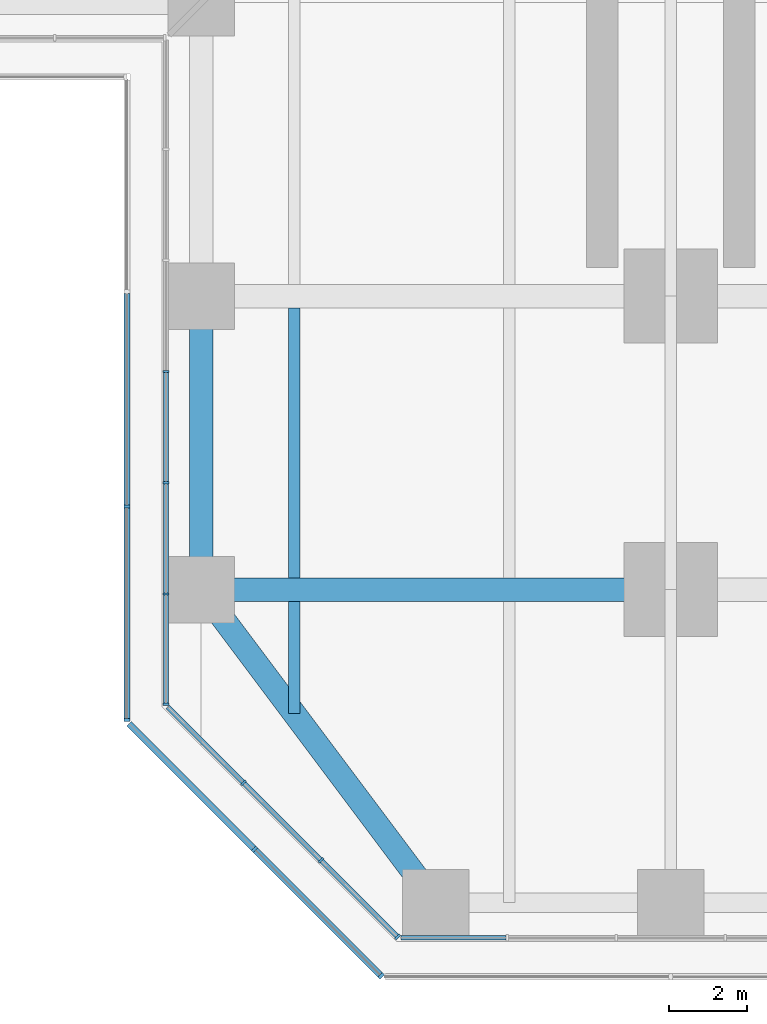
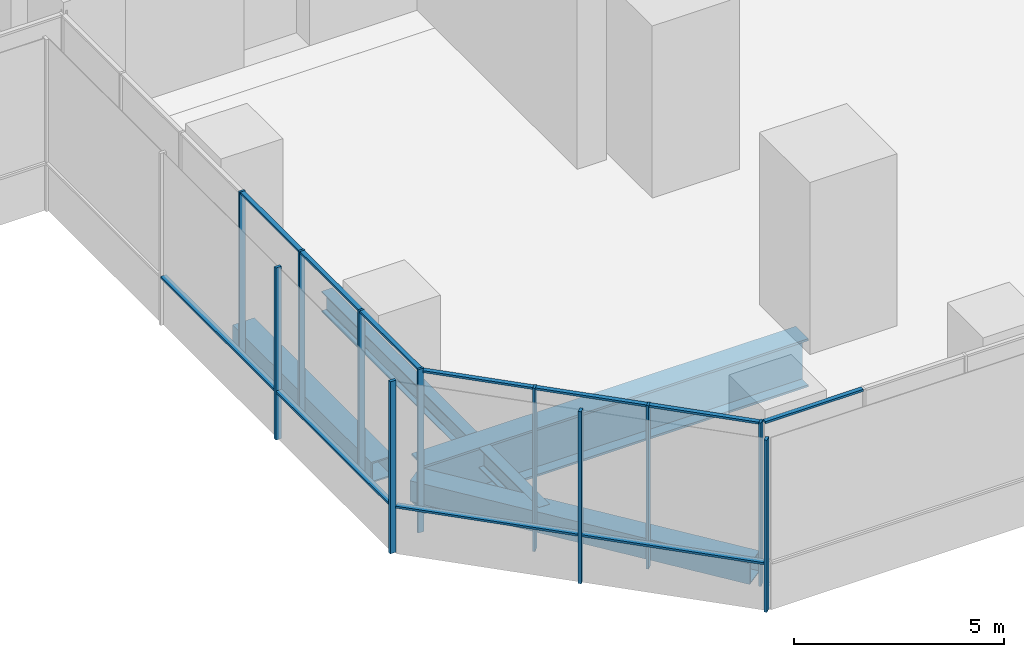
# One storey, part 2 of 23: 22 members, 5 beams, 5 elements without a shape of their own.
"""IFC4 building model written with IfcOpenShell, lengths in metres."""

from ifc_helpers import new_model, si_unit, direction, frame, origin, origin_2d, place, context, subcontext, project, spatial, rectangle, hollow_rectangle, i_section, extrude, material, material_profile, profile_set, type_object, element, aggregate, save


model = new_model("IFC4")

# Units and contexts
model_context = context("Model", 3, precision=1e-05, world=origin(), true_north=direction((0.0, 1.0)))
body_context = subcontext(model_context, "Body", "Model", "MODEL_VIEW")
ifc_project = project(units=[si_unit("LENGTHUNIT", "METRE"), si_unit("AREAUNIT", "SQUARE_METRE"), si_unit("VOLUMEUNIT", "CUBIC_METRE"), si_unit("PLANEANGLEUNIT", "RADIAN"), si_unit("MASSUNIT", "GRAM", prefix="KILO")], contexts=[model_context])

# Site, building, storey
site_placement = place(None, origin())
site = spatial("IfcSite", under=ifc_project, at=site_placement, CompositionType="ELEMENT")
building_placement = place(site_placement, origin())
building = spatial("IfcBuilding", under=site, at=building_placement, Name="Mizan Broadcast Tower", CompositionType="ELEMENT")
storey_placement = place(building_placement, frame((0.0, 0.0, 23.0)))
storey = spatial("IfcBuildingStorey", under=building, at=storey_placement, Name="L03", CompositionType="ELEMENT", Elevation=23.0)

# Beams
ifc_material_1 = material(Name="Steel S355", Category="steel")
ifc_material_profile_1 = material_profile(ifc_material_1, hollow_rectangle(XDim=0.60009765625, YDim=0.60009765625, WallThickness=0.030029296875, at=origin_2d()), Name="BOX 600x600x30")
ifc_profile_set_1 = profile_set([ifc_material_profile_1], Name="Steel S355")
beam_type_1 = type_object("IfcBeamType", Name="EDGE BEAM BOX 600x600x30", PredefinedType="SPANDREL", material=ifc_profile_set_1)
beam_1_placement = place(storey_placement, frame((-11.639892578125, -27.47998046875, -0.550048828125), z_axis=(0.599982243973, -0.800013316712, 0.0), x_axis=(0.800013316712, 0.599982243973, 0.0)))
element("IfcBeam", 1, at=beam_1_placement, inside=storey, type_object=beam_type_1, Name="Edge beam BOX 600x600x30 L03 south arm", PredefinedType="SPANDREL", context=body_context, shape_type="SweptSolid", body=[
    extrude(hollow_rectangle(XDim=0.60009765625, YDim=0.60009765625, WallThickness=0.030029296875, at=origin_2d()), origin(), (0.0, 0.0, 1.0), 8.7998046875),
])
ifc_material_2 = material(Name="Steel S355", Category="steel")
ifc_material_profile_2 = material_profile(ifc_material_2, hollow_rectangle(XDim=0.60009765625, YDim=0.60009765625, WallThickness=0.0400390625, at=origin_2d()), Name="BOX 600x600x40")
ifc_profile_set_2 = profile_set([ifc_material_profile_2], Name="Steel S355")
beam_type_2 = type_object("IfcBeamType", Name="EDGE BEAM BOX 600x600x40", PredefinedType="SPANDREL", material=ifc_profile_set_2)
beam_2_placement = place(storey_placement, frame((-12.0, -19.949951171875, -0.550048828125), z_axis=(0.0, -1.0, 0.0), x_axis=(1.0, 0.0, 0.0)))
element("IfcBeam", 2, at=beam_2_placement, inside=storey, type_object=beam_type_2, Name="Edge beam BOX 600x600x40 L03 south arm", PredefinedType="SPANDREL", context=body_context, shape_type="SweptSolid", body=[
    extrude(hollow_rectangle(XDim=0.60009765625, YDim=0.60009765625, WallThickness=0.0400390625, at=origin_2d()), origin(), (0.0, 0.0, 1.0), 6.60009765625),
])
ifc_material_3 = material(Name="Steel S460", Category="steel")
ifc_material_profile_3 = material_profile(ifc_material_3, i_section(OverallWidth=0.60009765625, OverallDepth=1.39990234375, WebThickness=0.02490234375, FlangeThickness=0.06005859375, at=origin_2d()), Name="WPG 1400x600")
ifc_profile_set_3 = profile_set([ifc_material_profile_3], Name="Steel S460")
beam_type_3 = type_object("IfcBeamType", Name="GIRDER WPG 1400x600", PredefinedType="BEAM", material=ifc_profile_set_3)
beam_3_placement = place(storey_placement, frame((-11.280029296875, -27.0, -0.949951171875), z_axis=(1.0, 0.0, 0.0), x_axis=(0.0, 1.0, 0.0)))
element("IfcBeam", 3, at=beam_3_placement, inside=storey, type_object=beam_type_3, Name="Girder WPG 1400x600 L03 south arm", PredefinedType="BEAM", context=body_context, shape_type="SweptSolid", body=[
    extrude(i_section(OverallWidth=0.60009765625, OverallDepth=1.39990234375, WebThickness=0.02490234375, FlangeThickness=0.06005859375, at=origin_2d()), origin(), (0.0, 0.0, 1.0), 10.56005859375),
])

# Curtain wall, members
ifc_material_4 = material(Name="Aluminium framed glazing", Category="aluminium")
curtain_wall_type_1 = type_object("IfcCurtainWallType", Name="PODIUM CURTAIN WALL", PredefinedType="USERDEFINED", material=ifc_material_4)
curtain_wall_1_placement = place(storey_placement, origin())
curtain_wall_1 = element("IfcCurtainWall", 4, at=curtain_wall_1_placement, inside=storey, type_object=curtain_wall_type_1, Name="Podium curtain wall L03 S side", ObjectType="PODIUM CURTAIN WALL", PredefinedType="USERDEFINED")
ifc_material_5 = material(Name="Aluminium, pale anodised", Category="aluminium")
ifc_material_profile_4 = material_profile(ifc_material_5, rectangle(XDim=0.159912109375, YDim=0.06005859375, at=origin_2d()), Name="MULLION 160x60")
ifc_profile_set_4 = profile_set([ifc_material_profile_4], Name="Aluminium, pale anodised")
member_type_1 = type_object("IfcMemberType", Name="INNER SKIN MULLION 60x160", PredefinedType="MULLION", material=ifc_profile_set_4)
member_1_placement = place(storey_placement, frame((-12.89990234375, -21.42919921875, 0.0), z_axis=(0.0, 0.0, 1.0), x_axis=(1.0, 0.0, 0.0)))
member_1 = element("IfcMember", 5, at=member_1_placement, type_object=member_type_1, Name="Podium curtain wall L03 S side mullion 4", PredefinedType="MULLION", context=body_context, shape_type="SweptSolid", body=[
    extrude(rectangle(XDim=0.159912109375, YDim=0.06005859375, at=origin_2d()), origin(), (0.0, 0.0, 1.0), 4.75),
])
member_2_placement = place(storey_placement, frame((-12.89990234375, -24.2724609375, 0.0), z_axis=(0.0, 0.0, 1.0), x_axis=(1.0, 0.0, 0.0)))
member_2 = element("IfcMember", 6, at=member_2_placement, type_object=member_type_1, Name="Podium curtain wall L03 S side mullion 5", PredefinedType="MULLION", context=body_context, shape_type="SweptSolid", body=[
    extrude(rectangle(XDim=0.159912109375, YDim=0.06005859375, at=origin_2d()), origin(), (0.0, 0.0, 1.0), 4.75),
])
member_3_placement = place(storey_placement, frame((-12.89990234375, -27.115478515625, 0.0), z_axis=(0.0, 0.0, 1.0), x_axis=(1.0, 0.0, 0.0)))
member_3 = element("IfcMember", 7, at=member_3_placement, type_object=member_type_1, Name="Podium curtain wall L03 S side mullion 6", PredefinedType="MULLION", context=body_context, shape_type="SweptSolid", body=[
    extrude(rectangle(XDim=0.159912109375, YDim=0.06005859375, at=origin_2d()), origin(), (0.0, 0.0, 1.0), 4.75),
])
member_4_placement = place(storey_placement, frame((-12.89990234375, -29.928466796875, 0.0), z_axis=(0.0, 0.0, 1.0), x_axis=(1.0, 0.0, 0.0)))
member_4 = element("IfcMember", 8, at=member_4_placement, type_object=member_type_1, Name="Podium curtain wall L03 S side mullion 7", PredefinedType="MULLION", context=body_context, shape_type="SweptSolid", body=[
    extrude(rectangle(XDim=0.159912109375, YDim=0.06005859375, at=origin_2d()), origin(), (0.0, 0.0, 1.0), 4.75),
])

curtain_wall_2_placement = place(storey_placement, origin())
curtain_wall_2 = element("IfcCurtainWall", 9, at=curtain_wall_2_placement, inside=storey, type_object=curtain_wall_type_1, Name="Podium curtain wall L03 S chamfer", ObjectType="PODIUM CURTAIN WALL", PredefinedType="USERDEFINED")
member_5_placement = place(storey_placement, frame((-10.91943359375, -31.93896484375, 0.0), z_axis=(0.0, 0.0, 1.0), x_axis=(0.707106781187, 0.707106781187, 0.0)))
member_5 = element("IfcMember", 10, at=member_5_placement, type_object=member_type_1, Name="Podium curtain wall L03 S chamfer mullion 2", PredefinedType="MULLION", context=body_context, shape_type="SweptSolid", body=[
    extrude(rectangle(XDim=0.159912109375, YDim=0.06005859375, at=origin_2d()), origin(), (0.0, 0.0, 1.0), 4.75),
])
member_6_placement = place(storey_placement, frame((-8.93896484375, -33.91943359375, 0.0), z_axis=(0.0, 0.0, 1.0), x_axis=(0.707106781187, 0.707106781187, 0.0)))
member_6 = element("IfcMember", 11, at=member_6_placement, type_object=member_type_1, Name="Podium curtain wall L03 S chamfer mullion 3", PredefinedType="MULLION", context=body_context, shape_type="SweptSolid", body=[
    extrude(rectangle(XDim=0.159912109375, YDim=0.06005859375, at=origin_2d()), origin(), (0.0, 0.0, 1.0), 4.75),
])
member_7_placement = place(storey_placement, frame((-6.979736328125, -35.87890625, 0.0), z_axis=(0.0, 0.0, 1.0), x_axis=(0.707106781187, 0.707106781187, 0.0)))
member_7 = element("IfcMember", 12, at=member_7_placement, type_object=member_type_1, Name="Podium curtain wall L03 S chamfer mullion 4", PredefinedType="MULLION", context=body_context, shape_type="SweptSolid", body=[
    extrude(rectangle(XDim=0.159912109375, YDim=0.06005859375, at=origin_2d()), origin(), (0.0, 0.0, 1.0), 4.75),
])

# Member
ifc_material_6 = material(Name="Aluminium, pale anodised", Category="aluminium")
ifc_material_profile_5 = material_profile(ifc_material_6, rectangle(XDim=0.1201171875, YDim=0.06005859375, at=origin_2d()), Name="TRANSOM 120x60")
ifc_profile_set_5 = profile_set([ifc_material_profile_5], Name="Aluminium, pale anodised")
member_type_2 = type_object("IfcMemberType", Name="INNER SKIN TRANSOM 60x120", PredefinedType="USERDEFINED", material=ifc_profile_set_5)
member_8_placement = place(storey_placement, frame((-12.89990234375, -21.459228515625, 4.719970703125), z_axis=(0.0, -1.0, 0.0), x_axis=(1.0, 0.0, 0.0)))
member_8 = element("IfcMember", 13, at=member_8_placement, type_object=member_type_2, Name="Podium curtain wall L03 S side transom 4.1", ObjectType="TRANSOM", PredefinedType="USERDEFINED", context=body_context, shape_type="SweptSolid", body=[
    extrude(rectangle(XDim=0.1201171875, YDim=0.06005859375, at=origin_2d()), origin(), (0.0, 0.0, 1.0), 2.783203125),
])

member_9_placement = place(storey_placement, frame((-12.89990234375, -24.302490234375, 4.719970703125), z_axis=(0.0, -1.0, 0.0), x_axis=(1.0, 0.0, 0.0)))
member_9 = element("IfcMember", 14, at=member_9_placement, type_object=member_type_2, Name="Podium curtain wall L03 S side transom 5.1", ObjectType="TRANSOM", PredefinedType="USERDEFINED", context=body_context, shape_type="SweptSolid", body=[
    extrude(rectangle(XDim=0.1201171875, YDim=0.06005859375, at=origin_2d()), origin(), (0.0, 0.0, 1.0), 2.782958984375),
])

member_10_placement = place(storey_placement, frame((-12.89990234375, -27.1455078125, 4.719970703125), z_axis=(0.0, -1.0, 0.0), x_axis=(1.0, 0.0, 0.0)))
member_10 = element("IfcMember", 15, at=member_10_placement, type_object=member_type_2, Name="Podium curtain wall L03 S side transom 6.1", ObjectType="TRANSOM", PredefinedType="USERDEFINED", context=body_context, shape_type="SweptSolid", body=[
    extrude(rectangle(XDim=0.1201171875, YDim=0.06005859375, at=origin_2d()), origin(), (0.0, 0.0, 1.0), 2.753173828125),
])

aggregate(curtain_wall_1, [member_1, member_2, member_3, member_4, member_8, member_9, member_10])

member_11_placement = place(storey_placement, frame((-12.857666015625, -30.0009765625, 4.719970703125), z_axis=(0.707151809797, -0.707061749709, 0.0), x_axis=(0.707061749709, 0.707151809797, 0.0)))
member_11 = element("IfcMember", 16, at=member_11_placement, type_object=member_type_2, Name="Podium curtain wall L03 S chamfer transom 1.1", ObjectType="TRANSOM", PredefinedType="USERDEFINED", context=body_context, shape_type="SweptSolid", body=[
    extrude(rectangle(XDim=0.1201171875, YDim=0.06005859375, at=origin_2d()), origin(), (0.0, 0.0, 1.0), 2.7109375),
])

member_12_placement = place(storey_placement, frame((-10.898193359375, -31.960205078125, 4.719970703125), z_axis=(0.707106781187, -0.707106781187, 0.0), x_axis=(0.707106781187, 0.707106781187, 0.0)))
member_12 = element("IfcMember", 17, at=member_12_placement, type_object=member_type_2, Name="Podium curtain wall L03 S chamfer transom 2.1", ObjectType="TRANSOM", PredefinedType="USERDEFINED", context=body_context, shape_type="SweptSolid", body=[
    extrude(rectangle(XDim=0.1201171875, YDim=0.06005859375, at=origin_2d()), origin(), (0.0, 0.0, 1.0), 2.74072265625),
])

member_13_placement = place(storey_placement, frame((-8.917724609375, -33.940673828125, 4.719970703125), z_axis=(0.707061749709, -0.707151809797, 0.0), x_axis=(0.707151809797, 0.707061749709, 0.0)))
member_13 = element("IfcMember", 18, at=member_13_placement, type_object=member_type_2, Name="Podium curtain wall L03 S chamfer transom 3.1", ObjectType="TRANSOM", PredefinedType="USERDEFINED", context=body_context, shape_type="SweptSolid", body=[
    extrude(rectangle(XDim=0.1201171875, YDim=0.06005859375, at=origin_2d()), origin(), (0.0, 0.0, 1.0), 2.7109375),
])

aggregate(curtain_wall_2, [member_5, member_6, member_7, member_11, member_12, member_13])

# Curtain wall, member
curtain_wall_3_placement = place(storey_placement, origin())
curtain_wall_3 = element("IfcCurtainWall", 19, at=curtain_wall_3_placement, inside=storey, type_object=curtain_wall_type_1, Name="Podium curtain wall L03 S end", ObjectType="PODIUM CURTAIN WALL", PredefinedType="USERDEFINED")
member_14_placement = place(storey_placement, frame((-6.898681640625, -35.89990234375, 4.719970703125), z_axis=(1.0, 0.0, 0.0), x_axis=(0.0, 1.0, 0.0)))
member_14 = element("IfcMember", 20, at=member_14_placement, type_object=member_type_2, Name="Podium curtain wall L03 S end transom 1.1", ObjectType="TRANSOM", PredefinedType="USERDEFINED", context=body_context, shape_type="SweptSolid", body=[
    extrude(rectangle(XDim=0.1201171875, YDim=0.06005859375, at=origin_2d()), origin(), (0.0, 0.0, 1.0), 2.693603515625),
])
aggregate(curtain_wall_3, [member_14])

# Curtain wall, members
ifc_material_7 = material(Name="Aluminium framed glazing", Category="aluminium")
curtain_wall_type_2 = type_object("IfcCurtainWallType", Name="OUTER SKIN", PredefinedType="USERDEFINED", material=ifc_material_7)
curtain_wall_4_placement = place(storey_placement, origin())
curtain_wall_4 = element("IfcCurtainWall", 21, at=curtain_wall_4_placement, inside=storey, type_object=curtain_wall_type_2, Name="Outer skin L03 S side", ObjectType="OUTER SKIN", PredefinedType="USERDEFINED")
ifc_material_8 = material(Name="Aluminium, pale anodised", Category="aluminium")
ifc_material_profile_6 = material_profile(ifc_material_8, rectangle(XDim=0.159912109375, YDim=0.080078125, at=origin_2d()), Name="MULLION 160x80")
ifc_profile_set_6 = profile_set([ifc_material_profile_6], Name="Aluminium, pale anodised")
member_type_3 = type_object("IfcMemberType", Name="OUTER SKIN MULLION 80x160", PredefinedType="MULLION", material=ifc_profile_set_6)
member_15_placement = place(storey_placement, frame((-13.89990234375, -24.8818359375, 0.0), z_axis=(0.0, 0.0, 1.0), x_axis=(1.0, 0.0, 0.0)))
member_15 = element("IfcMember", 22, at=member_15_placement, type_object=member_type_3, Name="Outer skin L03 S side mullion 3", PredefinedType="MULLION", context=body_context, shape_type="SweptSolid", body=[
    extrude(rectangle(XDim=0.159912109375, YDim=0.080078125, at=origin_2d()), origin(), (0.0, 0.0, 1.0), 5.0),
])
member_16_placement = place(storey_placement, frame((-13.89990234375, -30.332763671875, 0.0), z_axis=(0.0, 0.0, 1.0), x_axis=(1.0, 0.0, 0.0)))
member_16 = element("IfcMember", 23, at=member_16_placement, type_object=member_type_3, Name="Outer skin L03 S side mullion 4", PredefinedType="MULLION", context=body_context, shape_type="SweptSolid", body=[
    extrude(rectangle(XDim=0.159912109375, YDim=0.080078125, at=origin_2d()), origin(), (0.0, 0.0, 1.0), 5.0),
])

curtain_wall_5_placement = place(storey_placement, origin())
curtain_wall_5 = element("IfcCurtainWall", 24, at=curtain_wall_5_placement, inside=storey, type_object=curtain_wall_type_2, Name="Outer skin L03 S chamfer", ObjectType="OUTER SKIN", PredefinedType="USERDEFINED")
member_17_placement = place(storey_placement, frame((-10.636474609375, -33.636474609375, 0.0), z_axis=(0.0, 0.0, 1.0), x_axis=(0.707106781187, 0.707106781187, 0.0)))
member_17 = element("IfcMember", 25, at=member_17_placement, type_object=member_type_3, Name="Outer skin L03 S chamfer mullion 2", PredefinedType="MULLION", context=body_context, shape_type="SweptSolid", body=[
    extrude(rectangle(XDim=0.159912109375, YDim=0.080078125, at=origin_2d()), origin(), (0.0, 0.0, 1.0), 5.0),
])
member_18_placement = place(storey_placement, frame((-7.401123046875, -36.871826171875, 0.0), z_axis=(0.0, 0.0, 1.0), x_axis=(0.707106781187, 0.707106781187, 0.0)))
member_18 = element("IfcMember", 26, at=member_18_placement, type_object=member_type_3, Name="Outer skin L03 S chamfer mullion 3", PredefinedType="MULLION", context=body_context, shape_type="SweptSolid", body=[
    extrude(rectangle(XDim=0.159912109375, YDim=0.080078125, at=origin_2d()), origin(), (0.0, 0.0, 1.0), 5.0),
])

# Member
ifc_material_9 = material(Name="Aluminium, pale anodised", Category="aluminium")
ifc_material_profile_7 = material_profile(ifc_material_9, rectangle(XDim=0.159912109375, YDim=0.06005859375, at=origin_2d()), Name="TRANSOM 160x60")
ifc_profile_set_7 = profile_set([ifc_material_profile_7], Name="Aluminium, pale anodised")
member_type_4 = type_object("IfcMemberType", Name="OUTER SKIN TRANSOM 60x160", PredefinedType="USERDEFINED", material=ifc_profile_set_7)
member_19_placement = place(storey_placement, frame((-13.89990234375, -19.430908203125, 1.39990234375), z_axis=(0.0, -1.0, 0.0), x_axis=(1.0, 0.0, 0.0)))
member_19 = element("IfcMember", 27, at=member_19_placement, type_object=member_type_4, Name="Outer skin L03 S side transom 2.1", ObjectType="TRANSOM", PredefinedType="USERDEFINED", context=body_context, shape_type="SweptSolid", body=[
    extrude(rectangle(XDim=0.159912109375, YDim=0.06005859375, at=origin_2d()), origin(), (0.0, 0.0, 1.0), 5.410888671875),
])

member_20_placement = place(storey_placement, frame((-13.89990234375, -24.921875, 1.39990234375), z_axis=(0.0, -1.0, 0.0), x_axis=(1.0, 0.0, 0.0)))
member_20 = element("IfcMember", 28, at=member_20_placement, type_object=member_type_4, Name="Outer skin L03 S side transom 3.1", ObjectType="TRANSOM", PredefinedType="USERDEFINED", context=body_context, shape_type="SweptSolid", body=[
    extrude(rectangle(XDim=0.159912109375, YDim=0.06005859375, at=origin_2d()), origin(), (0.0, 0.0, 1.0), 5.370849609375),
])

aggregate(curtain_wall_4, [member_15, member_16, member_19, member_20])

member_21_placement = place(storey_placement, frame((-13.843505859375, -30.429443359375, 1.39990234375), z_axis=(0.707106781187, -0.707106781187, 0.0), x_axis=(0.707106781187, 0.707106781187, 0.0)))
member_21 = element("IfcMember", 29, at=member_21_placement, type_object=member_type_4, Name="Outer skin L03 S chamfer transom 1.1", ObjectType="TRANSOM", PredefinedType="USERDEFINED", context=body_context, shape_type="SweptSolid", body=[
    extrude(rectangle(XDim=0.159912109375, YDim=0.06005859375, at=origin_2d()), origin(), (0.0, 0.0, 1.0), 4.495361328125),
])

member_22_placement = place(storey_placement, frame((-10.608154296875, -33.664794921875, 1.39990234375), z_axis=(0.707106781187, -0.707106781187, 0.0), x_axis=(0.707106781187, 0.707106781187, 0.0)))
member_22 = element("IfcMember", 30, at=member_22_placement, type_object=member_type_4, Name="Outer skin L03 S chamfer transom 2.1", ObjectType="TRANSOM", PredefinedType="USERDEFINED", context=body_context, shape_type="SweptSolid", body=[
    extrude(rectangle(XDim=0.159912109375, YDim=0.06005859375, at=origin_2d()), origin(), (0.0, 0.0, 1.0), 4.495361328125),
])

aggregate(curtain_wall_5, [member_17, member_18, member_21, member_22])

# Beams
ifc_material_10 = material(Name="Steel S355", Category="steel")
ifc_material_profile_8 = material_profile(ifc_material_10, i_section(OverallWidth=0.300048828125, OverallDepth=0.590087890625, WebThickness=0.012939453125, FlangeThickness=0.02490234375, FilletRadius=0.027099609375, at=origin_2d()), Name="HEA 600")
ifc_profile_set_8 = profile_set([ifc_material_profile_8], Name="Steel S355")
beam_type_4 = type_object("IfcBeamType", Name="SECONDARY BEAM HEA 600", PredefinedType="JOIST", material=ifc_profile_set_8)
beam_4_placement = place(storey_placement, frame((-9.625, -19.800048828125, -0.544921875), z_axis=(0.0, -1.0, 0.0), x_axis=(1.0, 0.0, 0.0)))
element("IfcBeam", 31, at=beam_4_placement, inside=storey, type_object=beam_type_4, Name="Secondary beam HEA 600 L03 south arm", PredefinedType="JOIST", context=body_context, shape_type="SweptSolid", body=[
    extrude(i_section(OverallWidth=0.300048828125, OverallDepth=0.590087890625, WebThickness=0.012939453125, FlangeThickness=0.02490234375, FilletRadius=0.027099609375, at=origin_2d()), origin(), (0.0, 0.0, 1.0), 6.89990234375),
])
beam_5_placement = place(storey_placement, frame((-9.625, -27.300048828125, -0.544921875), z_axis=(0.0, -1.0, 0.0), x_axis=(1.0, 0.0, 0.0)))
element("IfcBeam", 32, at=beam_5_placement, inside=storey, type_object=beam_type_4, Name="Secondary beam HEA 600 L03 south arm", PredefinedType="JOIST", context=body_context, shape_type="SweptSolid", body=[
    extrude(i_section(OverallWidth=0.300048828125, OverallDepth=0.590087890625, WebThickness=0.012939453125, FlangeThickness=0.02490234375, FilletRadius=0.027099609375, at=origin_2d()), origin(), (0.0, 0.0, 1.0), 2.86669921875),
])

save(model, "model.ifc")
